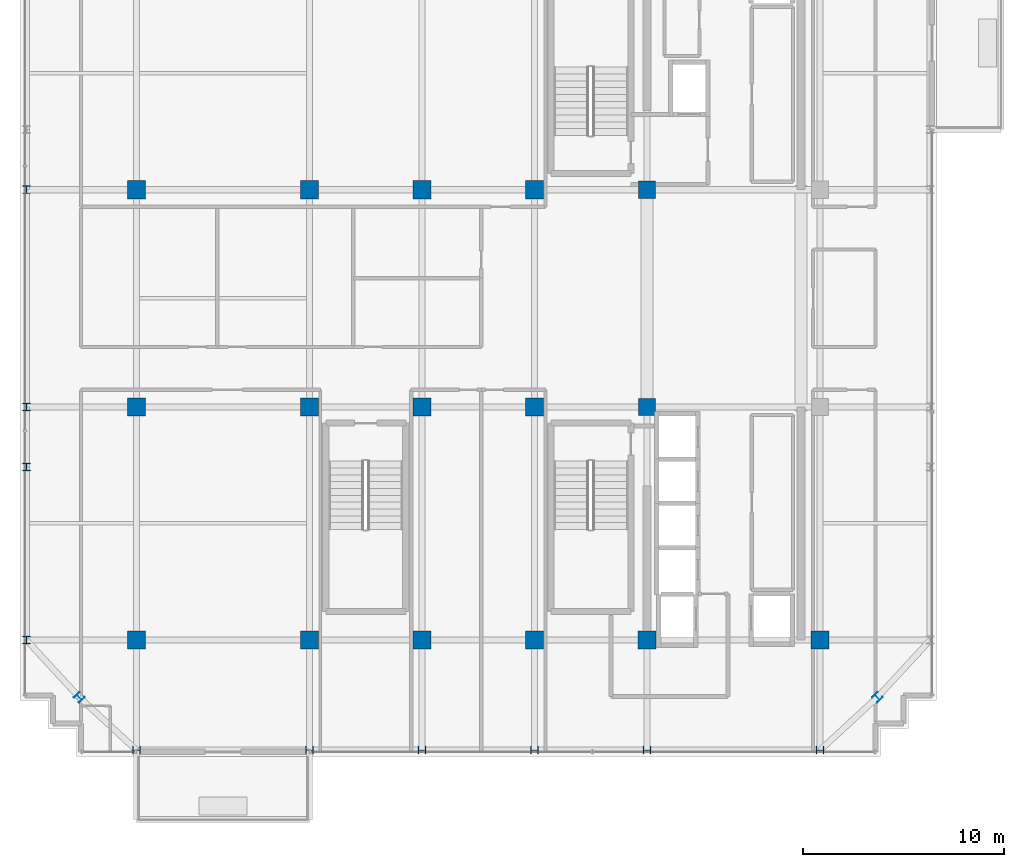
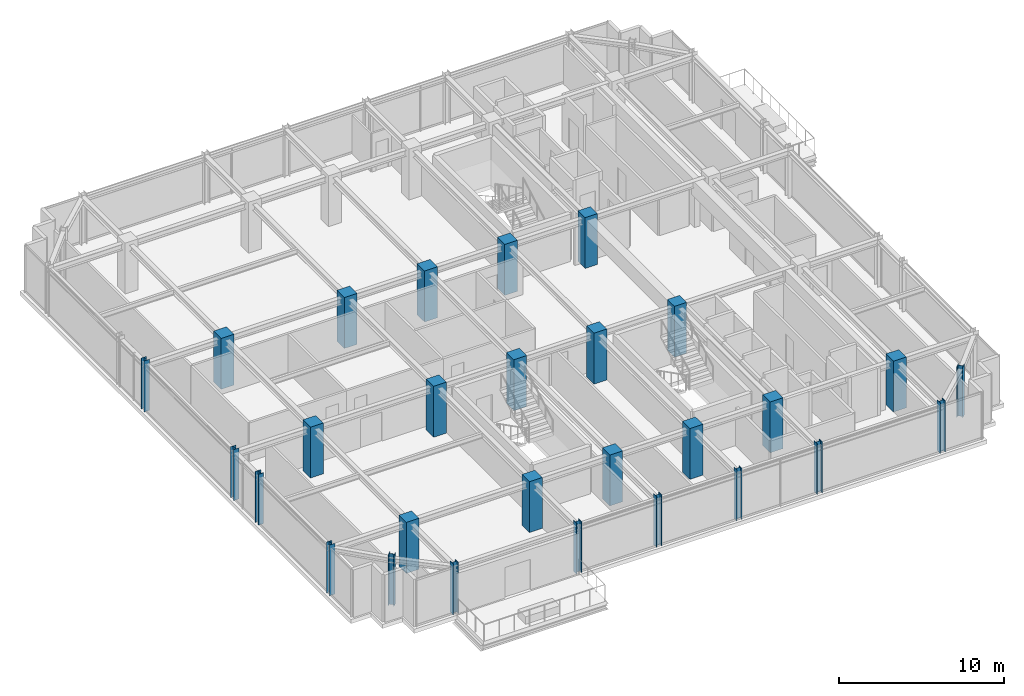
# One storey, part 1 of 32: 28 columns.
"""IFC4 building model written with IfcOpenShell, lengths in metres."""

from ifc_helpers import new_model, si_unit, direction, frame, origin, origin_2d, place, context, subcontext, project, spatial, rectangle, i_section, extrude, source, transform, mapped, material, material_profile, profile_set, type_object, element, save


model = new_model("IFC4")

# Units and contexts
model_context = context("Model", 3, precision=1e-05, world=origin(), true_north=direction((0.0, 1.0)))
body_context = subcontext(model_context, "Body", "Model", "MODEL_VIEW")
ifc_project = project(units=[si_unit("LENGTHUNIT", "METRE"), si_unit("AREAUNIT", "SQUARE_METRE"), si_unit("VOLUMEUNIT", "CUBIC_METRE"), si_unit("PLANEANGLEUNIT", "RADIAN"), si_unit("MASSUNIT", "GRAM", prefix="KILO")], contexts=[model_context])

# Site, building, storey
site_placement = place(None, origin())
site = spatial("IfcSite", under=ifc_project, at=site_placement, CompositionType="ELEMENT")
building_placement = place(site_placement, origin())
building = spatial("IfcBuilding", under=site, at=building_placement, Name="Nahalor Promenade Grand Hotel", CompositionType="ELEMENT")
storey_placement = place(building_placement, frame((0.0, 0.0, 330.949951171875)))
storey = spatial("IfcBuildingStorey", under=building, at=storey_placement, Name="L85", CompositionType="ELEMENT", Elevation=330.949951171875)

# Columns
ifc_material_1 = material(Name="Concrete B-50 (C40/50)", Category="concrete")
ifc_material_profile_1 = material_profile(ifc_material_1, rectangle(XDim=0.9, YDim=0.9, at=origin_2d()), Name="RC 900x900")
ifc_profile_set_1 = profile_set([ifc_material_profile_1], Name="Concrete B-50 (C40/50)")
column_type_1 = type_object("IfcColumnType", Name="Col-RC-900", PredefinedType="COLUMN", material=ifc_profile_set_1)
shared_shape_1 = source(origin(), body_context, "Body", "SweptSolid", [
    extrude(rectangle(XDim=0.9, YDim=0.9, at=origin_2d()), origin(), (0.0, 0.0, 1.0), 3.755126953125),
])
for number, where, z_axis, x_axis, name in (
    (1, (-17.0, -17.0, 0.0), (0.0, 0.0, 1.0), (1.0, 0.0, 0.0), "COL-L85-I00"),
    (2, (-17.0, -5.39990234375, 0.0), (0.0, 0.0, 1.0), (1.0, 0.0, 0.0), "COL-L85-I01"),
    (3, (-17.0, 5.39990234375, 0.0), (0.0, 0.0, 1.0), (1.0, 0.0, 0.0), "COL-L85-I02"),
    (4, (-8.39990234375, -17.0, 0.0), (0.0, 0.0, 1.0), (1.0, 0.0, 0.0), "COL-L85-I10"),
    (5, (-8.39990234375, -5.39990234375, 0.0), (0.0, 0.0, 1.0), (1.0, 0.0, 0.0), "COL-L85-I11"),
    (6, (-8.39990234375, 5.39990234375, 0.0), (0.0, 0.0, 1.0), (1.0, 0.0, 0.0), "COL-L85-I12"),
    (7, (-2.800048828125, -17.0, 0.0), (0.0, 0.0, 1.0), (1.0, 0.0, 0.0), "COL-L85-I20"),
    (8, (-2.800048828125, -5.39990234375, 0.0), (0.0, 0.0, 1.0), (1.0, 0.0, 0.0), "COL-L85-I21"),
    (9, (-2.800048828125, 5.39990234375, 0.0), (0.0, 0.0, 1.0), (1.0, 0.0, 0.0), "COL-L85-I22"),
    (10, (2.800048828125, -17.0, 0.0), (0.0, 0.0, 1.0), (1.0, 0.0, 0.0), "COL-L85-I30"),
    (11, (2.800048828125, -5.39990234375, 0.0), (0.0, 0.0, 1.0), (1.0, 0.0, 0.0), "COL-L85-I31"),
    (12, (2.800048828125, 5.39990234375, 0.0), (0.0, 0.0, 1.0), (1.0, 0.0, 0.0), "COL-L85-I32"),
    (13, (8.39990234375, -17.0, 0.0), (0.0, 0.0, 1.0), (1.0, 0.0, 0.0), "COL-L85-I40"),
    (14, (17.0, -17.0, 0.0), (0.0, 0.0, 1.0), (1.0, 0.0, 0.0), "COL-L85-I50"),
):
    element("IfcColumn", number, at=place(storey_placement, frame(where, z_axis=z_axis, x_axis=x_axis)), inside=storey, type_object=column_type_1, Name=name, PredefinedType="COLUMN", context=body_context, shape_type="MappedRepresentation", body=[
        mapped(shared_shape_1, transform((0.0, 0.0, 0.0), scale=1.0)),
    ])
ifc_material_2 = material(Name="Concrete B-70 (C60/75)", Category="concrete")
ifc_material_profile_2 = material_profile(ifc_material_2, rectangle(XDim=0.85, YDim=0.85, at=origin_2d()), Name="RC 850x850")
ifc_profile_set_2 = profile_set([ifc_material_profile_2], Name="Concrete B-70 (C60/75)")
column_type_2 = type_object("IfcColumnType", Name="Col-Pilaster-850", PredefinedType="PILASTER", material=ifc_profile_set_2)
shared_shape_2 = source(origin(), body_context, "Body", "SweptSolid", [
    extrude(rectangle(XDim=0.85, YDim=0.85, at=origin_2d()), origin(), (0.0, 0.0, 1.0), 3.755126953125),
])
for number, where, z_axis, x_axis, name in (
    (15, (8.39990234375, -5.39990234375, 0.0), (0.0, 0.0, 1.0), (1.0, 0.0, 0.0), "COL-L85-I41"),
    (16, (8.39990234375, 5.39990234375, 0.0), (0.0, 0.0, 1.0), (1.0, 0.0, 0.0), "COL-L85-I42"),
):
    element("IfcColumn", number, at=place(storey_placement, frame(where, z_axis=z_axis, x_axis=x_axis)), inside=storey, type_object=column_type_2, Name=name, PredefinedType="PILASTER", context=body_context, shape_type="MappedRepresentation", body=[
        mapped(shared_shape_2, transform((0.0, 0.0, 0.0), scale=1.0)),
    ])
ifc_material_3 = material(Name="Steel S355JR", Category="steel")
ifc_material_profile_3 = material_profile(ifc_material_3, i_section(OverallWidth=0.374, OverallDepth=0.374, WebThickness=0.0144, FlangeThickness=0.0229, at=origin_2d()), Name="HD 360x262")
ifc_profile_set_3 = profile_set([ifc_material_profile_3], Name="Steel S355JR")
column_type_3 = type_object("IfcColumnType", Name="Col-Steel-HD262", PredefinedType="COLUMN", material=ifc_profile_set_3)
shared_shape_3 = source(origin(), body_context, "Body", "SweptSolid", [
    extrude(i_section(OverallWidth=0.374, OverallDepth=0.374, WebThickness=0.0144, FlangeThickness=0.0229, at=origin_2d()), origin(), (0.0, 0.0, 1.0), 3.755126953125),
])
for number, where, z_axis, x_axis, name in (
    (17, (-22.47998046875, -17.0, 0.0), (0.0, 0.0, 1.0), (1.0, 0.0, 0.0), "COL-L85-PW-W0"),
    (18, (-22.47998046875, -8.39990234375, 0.0), (0.0, 0.0, 1.0), (1.0, 0.0, 0.0), "COL-L85-PW-W1"),
    (19, (-22.47998046875, -5.39990234375, 0.0), (0.0, 0.0, 1.0), (1.0, 0.0, 0.0), "COL-L85-PW-W2"),
    (20, (-22.47998046875, 5.39990234375, 0.0), (0.0, 0.0, 1.0), (1.0, 0.0, 0.0), "COL-L85-PW-W3"),
    (21, (-17.0, -22.47998046875, 0.0), (0.0, 0.0, 1.0), (0.0, 1.0, 0.0), "COL-L85-PN-S0"),
    (22, (-8.39990234375, -22.47998046875, 0.0), (0.0, 0.0, 1.0), (0.0, 1.0, 0.0), "COL-L85-PN-S1"),
    (23, (-2.800048828125, -22.47998046875, 0.0), (0.0, 0.0, 1.0), (0.0, 1.0, 0.0), "COL-L85-PN-S2"),
    (24, (2.800048828125, -22.47998046875, 0.0), (0.0, 0.0, 1.0), (0.0, 1.0, 0.0), "COL-L85-PN-S3"),
    (25, (8.39990234375, -22.47998046875, 0.0), (0.0, 0.0, 1.0), (0.0, 1.0, 0.0), "COL-L85-PN-S4"),
    (26, (17.0, -22.47998046875, 0.0), (0.0, 0.0, 1.0), (0.0, 1.0, 0.0), "COL-L85-PN-S5"),
    (27, (-19.85009765625, -19.85009765625, 0.0), (0.0, 0.0, 1.0), (0.707106781187, 0.707106781187, 0.0), "COL-L85-CRN-SW"),
    (28, (19.85009765625, -19.85009765625, 0.0), (0.0, 0.0, 1.0), (0.707106781187, 0.707106781187, 0.0), "COL-L85-CRN-SE"),
):
    element("IfcColumn", number, at=place(storey_placement, frame(where, z_axis=z_axis, x_axis=x_axis)), inside=storey, type_object=column_type_3, Name=name, PredefinedType="COLUMN", context=body_context, shape_type="MappedRepresentation", body=[
        mapped(shared_shape_3, transform((0.0, 0.0, 0.0), scale=1.0)),
    ])

save(model, "model.ifc")
